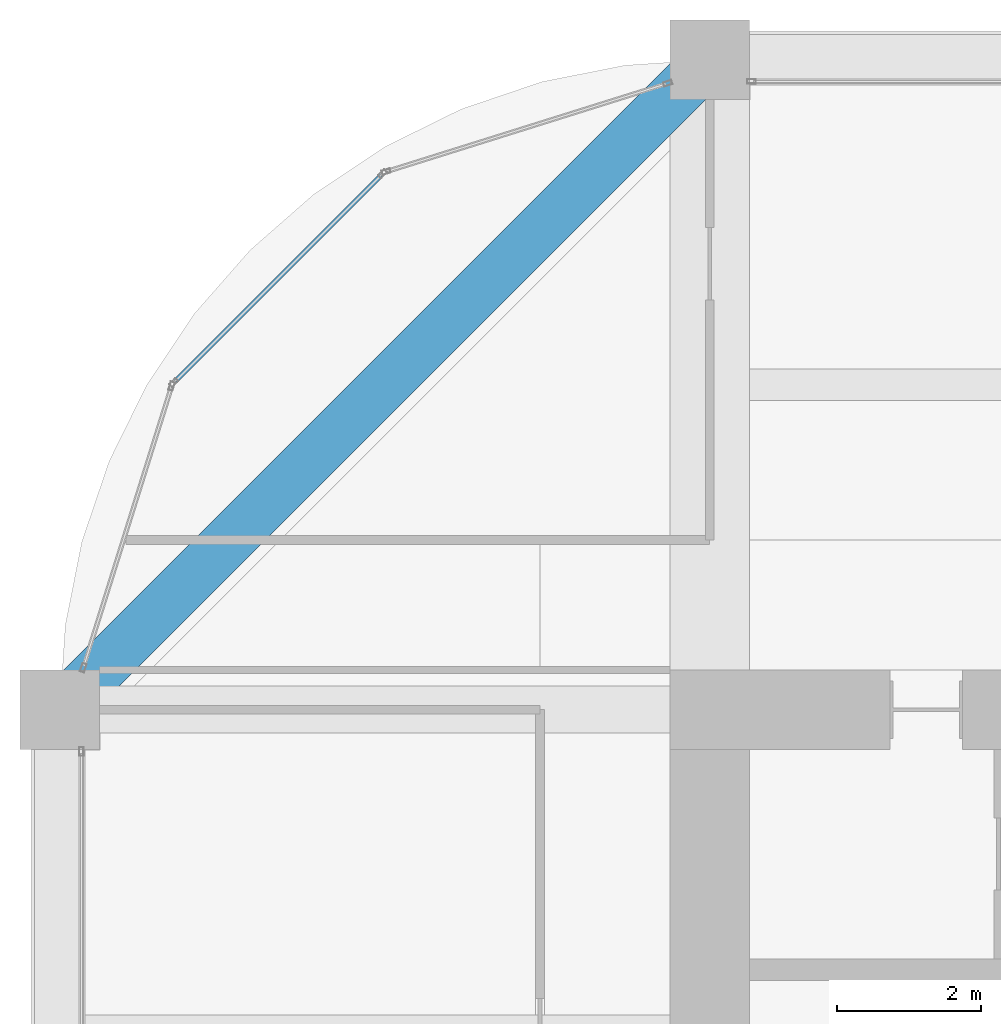
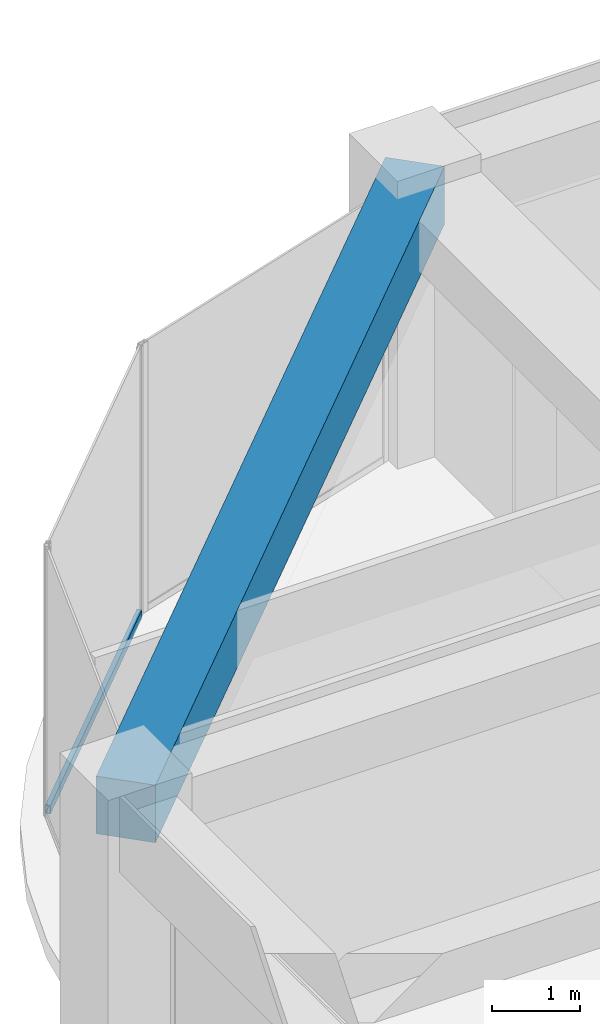
# One storey, part 29 of 45: 1 beam, 1 member, 1 element without a shape of its own.
"""IFC4 building model written with IfcOpenShell, lengths in metres."""

from ifc_helpers import new_model, si_unit, direction, frame, origin, origin_2d, place, context, subcontext, project, spatial, rectangle, hollow_rectangle, extrude, material, material_profile, profile_set, type_object, element, aggregate, save


model = new_model("IFC4")

# Units and contexts
model_context = context("Model", 3, precision=1e-05, world=origin(), true_north=direction((0.0, 1.0)))
body_context = subcontext(model_context, "Body", "Model", "MODEL_VIEW")
ifc_project = project(units=[si_unit("LENGTHUNIT", "METRE"), si_unit("AREAUNIT", "SQUARE_METRE"), si_unit("VOLUMEUNIT", "CUBIC_METRE"), si_unit("PLANEANGLEUNIT", "RADIAN"), si_unit("MASSUNIT", "GRAM", prefix="KILO")], contexts=[model_context])

# Site, building, storey
site_placement = place(None, origin())
site = spatial("IfcSite", under=ifc_project, at=site_placement, CompositionType="ELEMENT")
building_placement = place(site_placement, origin())
building = spatial("IfcBuilding", under=site, at=building_placement, Name="Zorevar Civic Tower", CompositionType="ELEMENT")
storey_placement = place(building_placement, frame((0.0, 0.0, 303.39990234375)))
storey = spatial("IfcBuildingStorey", under=building, at=storey_placement, Name="L74", CompositionType="ELEMENT", Elevation=303.39990234375)

# Curtain wall, member
ifc_material_1 = material(Name="Dark grey solar-control glass in black aluminium frame", Category="aluminium")
curtain_wall_type = type_object("IfcCurtainWallType", Name="Curtain wall CW5 top zone", PredefinedType="NOTDEFINED", material=ifc_material_1)
curtain_wall_placement = place(storey_placement, origin())
curtain_wall = element("IfcCurtainWall", 1, at=curtain_wall_placement, inside=storey, type_object=curtain_wall_type, Name="CW5 L74", PredefinedType="NOTDEFINED")
ifc_material_2 = material(Name="Aluminium, black anodised", Category="aluminium")
ifc_material_profile_1 = material_profile(ifc_material_2, hollow_rectangle(XDim=0.06005859375, YDim=0.1201171875, WallThickness=0.0029296875, at=origin_2d()), Name="AL 120x60x3")
ifc_profile_set_1 = profile_set([ifc_material_profile_1], Name="Aluminium, black anodised")
member_type = type_object("IfcMemberType", Name="CW5 transom AL 120x60x3", PredefinedType="USERDEFINED", material=ifc_profile_set_1)
member_placement = place(storey_placement, frame((13.44970703125, 43.3984375, 0.030029296875), z_axis=(-0.707106781187, -0.707106781187, 0.0), x_axis=(0.707106781187, -0.707106781187, 0.0)))
member = element("IfcMember", 2, at=member_placement, type_object=member_type, Name="CW5 sill transom", ObjectType="TRANSOM", PredefinedType="USERDEFINED", context=body_context, shape_type="SweptSolid", body=[
    extrude(hollow_rectangle(XDim=0.06005859375, YDim=0.1201171875, WallThickness=0.0029296875, at=origin_2d()), origin(), (0.0, 0.0, 1.0), 4.02783203125),
])
aggregate(curtain_wall, [member])

# Beam
ifc_material_3 = material(Name="Concrete C50/60", Category="concrete")
ifc_material_profile_2 = material_profile(ifc_material_3, rectangle(XDim=0.699951171875, YDim=0.800048828125, at=origin_2d()), Name="RC 700x800")
ifc_profile_set_2 = profile_set([ifc_material_profile_2], Name="Concrete C50/60")
beam_type = type_object("IfcBeamType", Name="Edge beam RC 700x800", PredefinedType="SPANDREL", material=ifc_profile_set_2)
beam_placement = place(storey_placement, frame((18.0, 45.0, 3.35009765625), z_axis=(-0.707106781187, -0.707106781187, 0.0), x_axis=(0.707106781187, -0.707106781187, 0.0)))
element("IfcBeam", 3, at=beam_placement, inside=storey, type_object=beam_type, Name="Corner edge beam L75", PredefinedType="SPANDREL", context=body_context, shape_type="SweptSolid", body=[
    extrude(rectangle(XDim=0.699951171875, YDim=0.800048828125, at=origin_2d()), origin(), (0.0, 0.0, 1.0), 12.72802734375),
])

save(model, "model.ifc")
